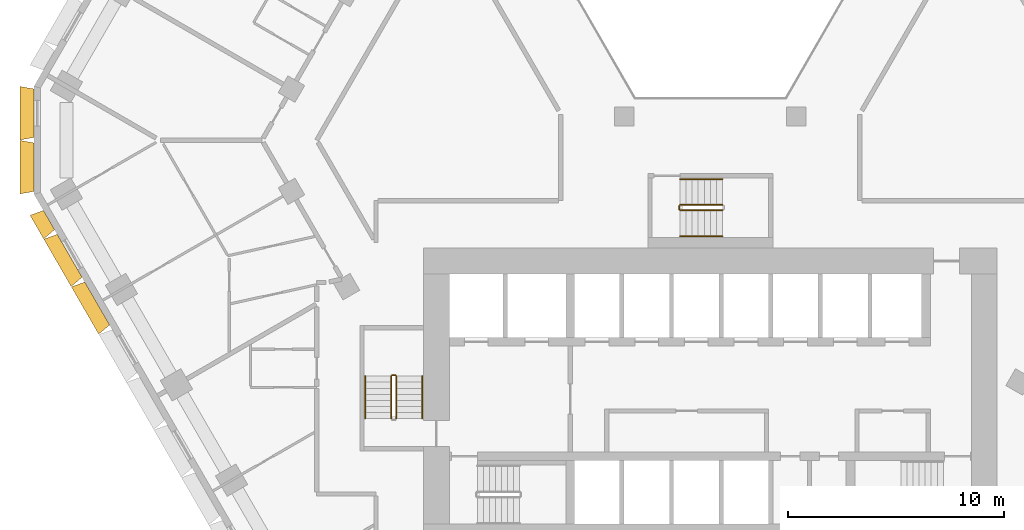
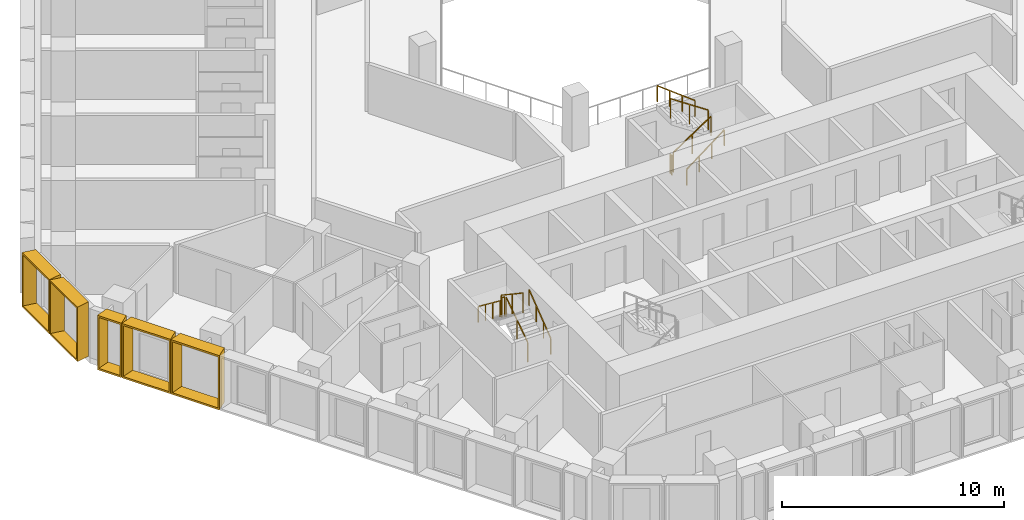
# One storey, part 14 of 16: 10 railings, 5 shading devices.
"""IFC4 building model written with IfcOpenShell, lengths in metres."""

from ifc_helpers import new_model, entity, si_unit, direction, frame, origin, origin_2d, place, context, subcontext, project, spatial, rectangle, extrude, source, transform, mapped, material, type_object, type_shapes, element, save


model = new_model("IFC4")

# Units and contexts
model_context = context("Model", 3, precision=1e-05, world=origin(), true_north=direction((0.0, 1.0)))
body_context = subcontext(model_context, "Body", "Model", "MODEL_VIEW")
ifc_project = project(units=[si_unit("LENGTHUNIT", "METRE"), si_unit("AREAUNIT", "SQUARE_METRE"), si_unit("VOLUMEUNIT", "CUBIC_METRE"), si_unit("PLANEANGLEUNIT", "RADIAN"), si_unit("MASSUNIT", "GRAM", prefix="KILO")], contexts=[model_context])

# Site, building, storey
site_placement = place(None, origin())
site = spatial("IfcSite", under=ifc_project, at=site_placement, CompositionType="ELEMENT")
building_placement = place(site_placement, origin())
building = spatial("IfcBuilding", under=site, at=building_placement, Name="Beryl Residences", CompositionType="ELEMENT")
storey_placement = place(building_placement, frame((0.0, 0.0, 26.39990234375)))
storey = spatial("IfcBuildingStorey", under=building, at=storey_placement, Name="L07", CompositionType="ELEMENT", Elevation=26.39990234375)

# Shading devices
ifc_material_1 = material(Name="Aluminium pale anodised", Category="aluminium")
shading_device_type_1 = type_object("IfcShadingDeviceType", Name="FR128-65A OUTER SKIN frame 650 mm deep, splay 10/10 deg, 1280 x 3000 mm cell", PredefinedType="USERDEFINED", material=ifc_material_1)
cartesian_point_1 = entity("IfcCartesianPoint", [-0.514892578125, 0.0])
cartesian_point_2 = entity("IfcCartesianPoint", [-0.433837890625, 0.10009765625])
cartesian_point_3 = entity("IfcCartesianPoint", [-0.629638671875, 0.0])
cartesian_point_4 = entity("IfcCartesianPoint", [-0.54833984375, 0.10009765625])
shared_shape_1 = source(origin(), body_context, "Body", "SweptSolid", [
    entity("IfcExtrudedAreaSolidTapered", entity("IfcArbitraryProfileDefWithVoids", "AREA", None, entity("IfcPolyline", [cartesian_point_1, entity("IfcCartesianPoint", [0.514892578125, 0.0]), entity("IfcCartesianPoint", [0.514892578125, 3.0]), entity("IfcCartesianPoint", [-0.514892578125, 3.0]), cartesian_point_1]), [entity("IfcPolyline", [cartesian_point_2, entity("IfcCartesianPoint", [0.433837890625, 0.10009765625]), entity("IfcCartesianPoint", [0.433837890625, 2.89990234375]), entity("IfcCartesianPoint", [-0.433837890625, 2.89990234375]), cartesian_point_2])]), entity("IfcAxis2Placement3D", entity("IfcCartesianPoint", [0.0, 0.0, 0.0]), entity("IfcDirection", [0.0, 1.0, 0.0]), entity("IfcDirection", [-1.0, 0.0, 0.0])), entity("IfcDirection", [0.0, 0.0, 1.0]), 0.64990234375, entity("IfcArbitraryProfileDefWithVoids", "AREA", None, entity("IfcPolyline", [cartesian_point_3, entity("IfcCartesianPoint", [0.629638671875, 0.0]), entity("IfcCartesianPoint", [0.629638671875, 3.0]), entity("IfcCartesianPoint", [-0.629638671875, 3.0]), cartesian_point_3]), [entity("IfcPolyline", [cartesian_point_4, entity("IfcCartesianPoint", [0.54833984375, 0.10009765625]), entity("IfcCartesianPoint", [0.54833984375, 2.89990234375]), entity("IfcCartesianPoint", [-0.54833984375, 2.89990234375]), cartesian_point_4])])),
])
type_shapes(shading_device_type_1, [shared_shape_1])
shading_device_placement = place(storey_placement, frame((-30.655029296875, -3.702880859375, 0.0), z_axis=(0.0, 0.0, 1.0), x_axis=(-0.5, 0.866025403784, 0.0)))
element("IfcShadingDevice", 1, at=shading_device_placement, inside=storey, type_object=shading_device_type_1, Name="FR128-65A frame L07 SW 1", ObjectType="OUTER SKIN", PredefinedType="USERDEFINED", context=body_context, shape_type="MappedRepresentation", body=[
    mapped(shared_shape_1, transform((0.0, 0.0, 0.0))),
])
ifc_material_2 = material(Name="Aluminium pale anodised", Category="aluminium")
shading_device_type_2 = type_object("IfcShadingDeviceType", Name="FR250-65A OUTER SKIN frame 650 mm deep, splay 10/10 deg, 2500 x 3000 mm cell", PredefinedType="USERDEFINED", material=ifc_material_2)
cartesian_point_5 = entity("IfcCartesianPoint", [-1.125, 0.0])
cartesian_point_6 = entity("IfcCartesianPoint", [-1.043701171875, 0.10009765625])
cartesian_point_7 = entity("IfcCartesianPoint", [-1.239501953125, 0.0])
cartesian_point_8 = entity("IfcCartesianPoint", [-1.158447265625, 0.10009765625])
shared_shape_2 = source(origin(), body_context, "Body", "SweptSolid", [
    entity("IfcExtrudedAreaSolidTapered", entity("IfcArbitraryProfileDefWithVoids", "AREA", None, entity("IfcPolyline", [cartesian_point_5, entity("IfcCartesianPoint", [1.125, 0.0]), entity("IfcCartesianPoint", [1.125, 3.0]), entity("IfcCartesianPoint", [-1.125, 3.0]), cartesian_point_5]), [entity("IfcPolyline", [cartesian_point_6, entity("IfcCartesianPoint", [1.043701171875, 0.10009765625]), entity("IfcCartesianPoint", [1.043701171875, 2.89990234375]), entity("IfcCartesianPoint", [-1.043701171875, 2.89990234375]), cartesian_point_6])]), entity("IfcAxis2Placement3D", entity("IfcCartesianPoint", [0.0, 0.0, 0.0]), entity("IfcDirection", [0.0, 1.0, 0.0]), entity("IfcDirection", [-1.0, 0.0, 0.0])), entity("IfcDirection", [0.0, 0.0, 1.0]), 0.64990234375, entity("IfcArbitraryProfileDefWithVoids", "AREA", None, entity("IfcPolyline", [cartesian_point_7, entity("IfcCartesianPoint", [1.239501953125, 0.0]), entity("IfcCartesianPoint", [1.239501953125, 3.0]), entity("IfcCartesianPoint", [-1.239501953125, 3.0]), cartesian_point_7]), [entity("IfcPolyline", [cartesian_point_8, entity("IfcCartesianPoint", [1.158447265625, 0.10009765625]), entity("IfcCartesianPoint", [1.158447265625, 2.89990234375]), entity("IfcCartesianPoint", [-1.158447265625, 2.89990234375]), cartesian_point_8])])),
])
type_shapes(shading_device_type_2, [shared_shape_2])
for number, where, z_axis, x_axis, name in (
    (2, (-31.35009765625, 1.25, 0.0), (0.0, 0.0, 1.0), (0.0, 1.0, 0.0), "FR250-65A frame L07 NW-SW 1"),
    (3, (-31.35009765625, -1.25, 0.0), (0.0, 0.0, 1.0), (0.0, 1.0, 0.0), "FR250-65A frame L07 NW-SW 2"),
):
    element("IfcShadingDevice", number, at=place(storey_placement, frame(where, z_axis=z_axis, x_axis=x_axis)), inside=storey, type_object=shading_device_type_2, Name=name, ObjectType="OUTER SKIN", PredefinedType="USERDEFINED", context=body_context, shape_type="MappedRepresentation", body=[
        mapped(shared_shape_2, transform((0.0, 0.0, 0.0))),
    ])
ifc_material_3 = material(Name="Aluminium pale anodised", Category="aluminium")
shading_device_type_3 = type_object("IfcShadingDeviceType", Name="FR255-65A OUTER SKIN frame 650 mm deep, splay 10/10 deg, 2550 x 3000 mm cell", PredefinedType="USERDEFINED", material=ifc_material_3)
cartesian_point_9 = entity("IfcCartesianPoint", [-1.14990234375, 0.0])
cartesian_point_10 = entity("IfcCartesianPoint", [-1.06884765625, 0.10009765625])
cartesian_point_11 = entity("IfcCartesianPoint", [-1.2646484375, 0.0])
cartesian_point_12 = entity("IfcCartesianPoint", [-1.183349609375, 0.10009765625])
shared_shape_3 = source(origin(), body_context, "Body", "SweptSolid", [
    entity("IfcExtrudedAreaSolidTapered", entity("IfcArbitraryProfileDefWithVoids", "AREA", None, entity("IfcPolyline", [cartesian_point_9, entity("IfcCartesianPoint", [1.14990234375, 0.0]), entity("IfcCartesianPoint", [1.14990234375, 3.0]), entity("IfcCartesianPoint", [-1.14990234375, 3.0]), cartesian_point_9]), [entity("IfcPolyline", [cartesian_point_10, entity("IfcCartesianPoint", [1.06884765625, 0.10009765625]), entity("IfcCartesianPoint", [1.06884765625, 2.89990234375]), entity("IfcCartesianPoint", [-1.06884765625, 2.89990234375]), cartesian_point_10])]), entity("IfcAxis2Placement3D", entity("IfcCartesianPoint", [0.0, 0.0, 0.0]), entity("IfcDirection", [0.0, 1.0, 0.0]), entity("IfcDirection", [-1.0, 0.0, 0.0])), entity("IfcDirection", [0.0, 0.0, 1.0]), 0.64990234375, entity("IfcArbitraryProfileDefWithVoids", "AREA", None, entity("IfcPolyline", [cartesian_point_11, entity("IfcCartesianPoint", [1.2646484375, 0.0]), entity("IfcCartesianPoint", [1.2646484375, 3.0]), entity("IfcCartesianPoint", [-1.2646484375, 3.0]), cartesian_point_11]), [entity("IfcPolyline", [cartesian_point_12, entity("IfcCartesianPoint", [1.183349609375, 0.10009765625]), entity("IfcCartesianPoint", [1.183349609375, 2.89990234375]), entity("IfcCartesianPoint", [-1.183349609375, 2.89990234375]), cartesian_point_12])])),
])
type_shapes(shading_device_type_3, [shared_shape_3])
for number, where, z_axis, x_axis, name in (
    (4, (-29.697998046875, -5.360107421875, 0.0), (0.0, 0.0, 1.0), (-0.5, 0.866025403784, 0.0), "FR255-65A frame L07 SW 2"),
    (5, (-28.422119140625, -7.570068359375, 0.0), (0.0, 0.0, 1.0), (-0.5, 0.866025403784, 0.0), "FR255-65A frame L07 SW 3"),
):
    element("IfcShadingDevice", number, at=place(storey_placement, frame(where, z_axis=z_axis, x_axis=x_axis)), inside=storey, type_object=shading_device_type_3, Name=name, ObjectType="OUTER SKIN", PredefinedType="USERDEFINED", context=body_context, shape_type="MappedRepresentation", body=[
        mapped(shared_shape_3, transform((0.0, 0.0, 0.0))),
    ])

# Railings
ifc_material_4 = material(Name="Stainless steel balustrade with glass infill", Category="steel")
railing_type_1 = type_object("IfcRailingType", Name="SG1 stair guard 1100 mm", PredefinedType="GUARDRAIL", material=ifc_material_4)
railing_1_placement = place(storey_placement, frame((-14.550048828125, -12.89990234375, 0.1875)))
element("IfcRailing", 6, at=railing_1_placement, inside=storey, type_object=railing_type_1, Name="L07 ST-2 stair guard 1", PredefinedType="GUARDRAIL", context=body_context, shape_type="SweptSolid", body=[
    extrude(rectangle(XDim=0.048095703125, YDim=0.048095703125, at=origin_2d()), frame((0.0, 0.0, 1.076171875), z_axis=(0.0, 0.830902050051, 0.556418712142), x_axis=(-1.0, 0.0, 0.0)), (0.0, 0.0, 1.0), 2.35888671875),
    extrude(rectangle(XDim=0.0419921875, YDim=0.0419921875, at=origin_2d()), origin(), (0.0, 0.0, 1.0), 1.052001953125),
    extrude(rectangle(XDim=0.0419921875, YDim=0.0419921875, at=origin_2d()), frame((0.0, 0.97998046875, 0.65625)), (0.0, 0.0, 1.0), 1.052001953125),
    extrude(rectangle(XDim=0.0419921875, YDim=0.0419921875, at=origin_2d()), frame((0.0, 1.9599609375, 1.3125)), (0.0, 0.0, 1.0), 1.052001953125),
])
railing_2_placement = place(storey_placement, frame((-14.60009765625, -10.889892578125, 1.5)))
element("IfcRailing", 7, at=railing_2_placement, inside=storey, type_object=railing_type_1, Name="L07 ST-2 stair guard 2", PredefinedType="GUARDRAIL", context=body_context, shape_type="SweptSolid", body=[
    extrude(rectangle(XDim=0.048095703125, YDim=0.048095703125, at=origin_2d()), frame((0.0, 0.0, 1.076171875), z_axis=(-1.0, 0.0, 0.0), x_axis=(0.0, -1.0, 0.0)), (0.0, 0.0, 1.0), 0.14990234375),
    extrude(rectangle(XDim=0.0419921875, YDim=0.0419921875, at=origin_2d()), origin(), (0.0, 0.0, 1.0), 1.052001953125),
    extrude(rectangle(XDim=0.0419921875, YDim=0.0419921875, at=origin_2d()), frame((-0.14990234375, 0.0, 0.0)), (0.0, 0.0, 1.0), 1.052001953125),
])
railing_3_placement = place(storey_placement, frame((-14.800048828125, -10.93994140625, 1.6875)))
element("IfcRailing", 8, at=railing_3_placement, inside=storey, type_object=railing_type_1, Name="L07 ST-2 stair guard 3", PredefinedType="GUARDRAIL", context=body_context, shape_type="SweptSolid", body=[
    extrude(rectangle(XDim=0.048095703125, YDim=0.048095703125, at=origin_2d()), frame((0.0, 0.0, 1.076171875), z_axis=(0.0, -0.830902050051, 0.556418712142), x_axis=(1.0, 0.0, 0.0)), (0.0, 0.0, 1.0), 2.35888671875),
    extrude(rectangle(XDim=0.0419921875, YDim=0.0419921875, at=origin_2d()), origin(), (0.0, 0.0, 1.0), 1.052001953125),
    extrude(rectangle(XDim=0.0419921875, YDim=0.0419921875, at=origin_2d()), frame((0.0, -0.97998046875, 0.65625)), (0.0, 0.0, 1.0), 1.052001953125),
    extrude(rectangle(XDim=0.0419921875, YDim=0.0419921875, at=origin_2d()), frame((0.0, -1.9599609375, 1.3125)), (0.0, 0.0, 1.0), 1.052001953125),
])
railing_4_placement = place(storey_placement, frame((-1.39990234375, -3.25, 0.1875)))
element("IfcRailing", 9, at=railing_4_placement, inside=storey, type_object=railing_type_1, Name="L07 ST-4 stair guard 1", PredefinedType="GUARDRAIL", context=body_context, shape_type="SweptSolid", body=[
    extrude(rectangle(XDim=0.048095703125, YDim=0.048095703125, at=origin_2d()), frame((0.0, 0.0, 1.076171875), z_axis=(0.830902050051, 0.0, 0.556418712142), x_axis=(0.0, 1.0, 0.0)), (0.0, 0.0, 1.0), 2.35888671875),
    extrude(rectangle(XDim=0.0419921875, YDim=0.0419921875, at=origin_2d()), origin(), (0.0, 0.0, 1.0), 1.052001953125),
    extrude(rectangle(XDim=0.0419921875, YDim=0.0419921875, at=origin_2d()), frame((0.97998046875, 0.0, 0.65625)), (0.0, 0.0, 1.0), 1.052001953125),
    extrude(rectangle(XDim=0.0419921875, YDim=0.0419921875, at=origin_2d()), frame((1.9599609375, 0.0, 1.3125)), (0.0, 0.0, 1.0), 1.052001953125),
])
railing_5_placement = place(storey_placement, frame((0.56005859375, -3.0, 1.6875)))
element("IfcRailing", 10, at=railing_5_placement, inside=storey, type_object=railing_type_1, Name="L07 ST-4 stair guard 3", PredefinedType="GUARDRAIL", context=body_context, shape_type="SweptSolid", body=[
    extrude(rectangle(XDim=0.048095703125, YDim=0.048095703125, at=origin_2d()), frame((0.0, 0.0, 1.076171875), z_axis=(-0.830902050051, 0.0, 0.556418712142), x_axis=(0.0, -1.0, 0.0)), (0.0, 0.0, 1.0), 2.35888671875),
    extrude(rectangle(XDim=0.0419921875, YDim=0.0419921875, at=origin_2d()), origin(), (0.0, 0.0, 1.0), 1.052001953125),
    extrude(rectangle(XDim=0.0419921875, YDim=0.0419921875, at=origin_2d()), frame((-0.97998046875, 0.0, 0.65625)), (0.0, 0.0, 1.0), 1.052001953125),
    extrude(rectangle(XDim=0.0419921875, YDim=0.0419921875, at=origin_2d()), frame((-1.9599609375, 0.0, 1.3125)), (0.0, 0.0, 1.0), 1.052001953125),
])
railing_6_placement = place(storey_placement, frame((-1.449951171875, -3.199951171875, 0.0)))
element("IfcRailing", 11, at=railing_6_placement, inside=storey, type_object=railing_type_1, Name="L07 ST-4 stair guard 4", PredefinedType="GUARDRAIL", context=body_context, shape_type="SweptSolid", body=[
    extrude(rectangle(XDim=0.048095703125, YDim=0.048095703125, at=origin_2d()), frame((0.0, 0.0, 1.076171875), z_axis=(0.0, 1.0, 0.0), x_axis=(-1.0, 0.0, 0.0)), (0.0, 0.0, 1.0), 0.14990234375),
    extrude(rectangle(XDim=0.0419921875, YDim=0.0419921875, at=origin_2d()), origin(), (0.0, 0.0, 1.0), 1.052001953125),
    extrude(rectangle(XDim=0.0419921875, YDim=0.0419921875, at=origin_2d()), frame((0.0, 0.14990234375, 0.0)), (0.0, 0.0, 1.0), 1.052001953125),
])
ifc_material_5 = material(Name="Stainless steel handrail", Category="steel")
railing_type_2 = type_object("IfcRailingType", Name="SRL1 stair handrail 900 mm", PredefinedType="HANDRAIL", material=ifc_material_5)
railing_7_placement = place(storey_placement, frame((-13.35009765625, -12.89990234375, 0.1875)))
element("IfcRailing", 12, at=railing_7_placement, inside=storey, type_object=railing_type_2, Name="L07 ST-2 stair handrail 1", PredefinedType="HANDRAIL", context=body_context, shape_type="SweptSolid", body=[
    extrude(rectangle(XDim=0.048095703125, YDim=0.048095703125, at=origin_2d()), frame((0.0, 0.0, 0.8759765625), z_axis=(0.0, 0.794121922505, 0.607758481798), x_axis=(-1.0, 0.0, 0.0)), (0.0, 0.0, 1.0), 2.468017578125),
    extrude(rectangle(XDim=0.0419921875, YDim=0.0419921875, at=origin_2d()), origin(), (0.0, 0.0, 1.0), 0.851806640625),
    extrude(rectangle(XDim=0.0419921875, YDim=0.0419921875, at=origin_2d()), frame((0.0, 0.6533203125, 0.5)), (0.0, 0.0, 1.0), 0.851806640625),
    extrude(rectangle(XDim=0.0419921875, YDim=0.0419921875, at=origin_2d()), frame((0.0, 1.306640625, 1.0)), (0.0, 0.0, 1.0), 0.851806640625),
    extrude(rectangle(XDim=0.0419921875, YDim=0.0419921875, at=origin_2d()), frame((0.0, 1.9599609375, 1.5)), (0.0, 0.0, 1.0), 0.851806640625),
])
railing_8_placement = place(storey_placement, frame((-16.0, -10.93994140625, 1.6875)))
element("IfcRailing", 13, at=railing_8_placement, inside=storey, type_object=railing_type_2, Name="L07 ST-2 stair handrail 2", PredefinedType="HANDRAIL", context=body_context, shape_type="SweptSolid", body=[
    extrude(rectangle(XDim=0.048095703125, YDim=0.048095703125, at=origin_2d()), frame((0.0, 0.0, 0.8759765625), z_axis=(0.0, -0.794121922505, 0.607758481798), x_axis=(1.0, 0.0, 0.0)), (0.0, 0.0, 1.0), 2.468017578125),
    extrude(rectangle(XDim=0.0419921875, YDim=0.0419921875, at=origin_2d()), origin(), (0.0, 0.0, 1.0), 0.851806640625),
    extrude(rectangle(XDim=0.0419921875, YDim=0.0419921875, at=origin_2d()), frame((0.0, -0.6533203125, 0.5)), (0.0, 0.0, 1.0), 0.851806640625),
    extrude(rectangle(XDim=0.0419921875, YDim=0.0419921875, at=origin_2d()), frame((0.0, -1.306640625, 1.0)), (0.0, 0.0, 1.0), 0.851806640625),
    extrude(rectangle(XDim=0.0419921875, YDim=0.0419921875, at=origin_2d()), frame((0.0, -1.9599609375, 1.5)), (0.0, 0.0, 1.0), 0.851806640625),
])
railing_9_placement = place(storey_placement, frame((-1.39990234375, -4.449951171875, 0.1875)))
element("IfcRailing", 14, at=railing_9_placement, inside=storey, type_object=railing_type_2, Name="L07 ST-4 stair handrail 1", PredefinedType="HANDRAIL", context=body_context, shape_type="SweptSolid", body=[
    extrude(rectangle(XDim=0.048095703125, YDim=0.048095703125, at=origin_2d()), frame((0.0, 0.0, 0.8759765625), z_axis=(0.794121922505, 0.0, 0.607758481798), x_axis=(0.0, 1.0, 0.0)), (0.0, 0.0, 1.0), 2.468017578125),
    extrude(rectangle(XDim=0.0419921875, YDim=0.0419921875, at=origin_2d()), origin(), (0.0, 0.0, 1.0), 0.851806640625),
    extrude(rectangle(XDim=0.0419921875, YDim=0.0419921875, at=origin_2d()), frame((0.6533203125, 0.0, 0.5)), (0.0, 0.0, 1.0), 0.851806640625),
    extrude(rectangle(XDim=0.0419921875, YDim=0.0419921875, at=origin_2d()), frame((1.306640625, 0.0, 1.0)), (0.0, 0.0, 1.0), 0.851806640625),
    extrude(rectangle(XDim=0.0419921875, YDim=0.0419921875, at=origin_2d()), frame((1.9599609375, 0.0, 1.5)), (0.0, 0.0, 1.0), 0.851806640625),
])
railing_10_placement = place(storey_placement, frame((0.56005859375, -1.800048828125, 1.6875)))
element("IfcRailing", 15, at=railing_10_placement, inside=storey, type_object=railing_type_2, Name="L07 ST-4 stair handrail 2", PredefinedType="HANDRAIL", context=body_context, shape_type="SweptSolid", body=[
    extrude(rectangle(XDim=0.048095703125, YDim=0.048095703125, at=origin_2d()), frame((0.0, 0.0, 0.8759765625), z_axis=(-0.794121922505, 0.0, 0.607758481798), x_axis=(0.0, -1.0, 0.0)), (0.0, 0.0, 1.0), 2.468017578125),
    extrude(rectangle(XDim=0.0419921875, YDim=0.0419921875, at=origin_2d()), origin(), (0.0, 0.0, 1.0), 0.851806640625),
    extrude(rectangle(XDim=0.0419921875, YDim=0.0419921875, at=origin_2d()), frame((-0.6533203125, 0.0, 0.5)), (0.0, 0.0, 1.0), 0.851806640625),
    extrude(rectangle(XDim=0.0419921875, YDim=0.0419921875, at=origin_2d()), frame((-1.306640625, 0.0, 1.0)), (0.0, 0.0, 1.0), 0.851806640625),
    extrude(rectangle(XDim=0.0419921875, YDim=0.0419921875, at=origin_2d()), frame((-1.9599609375, 0.0, 1.5)), (0.0, 0.0, 1.0), 0.851806640625),
])

save(model, "model.ifc")
